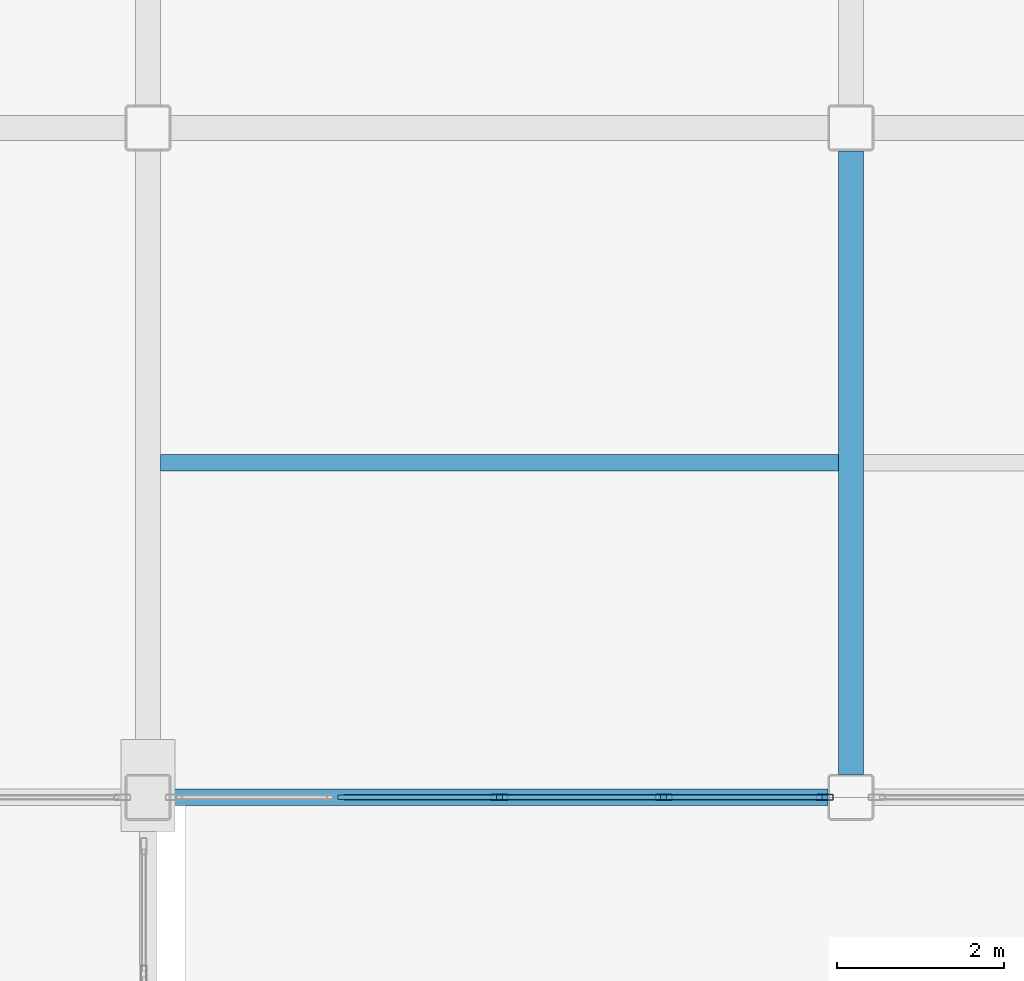
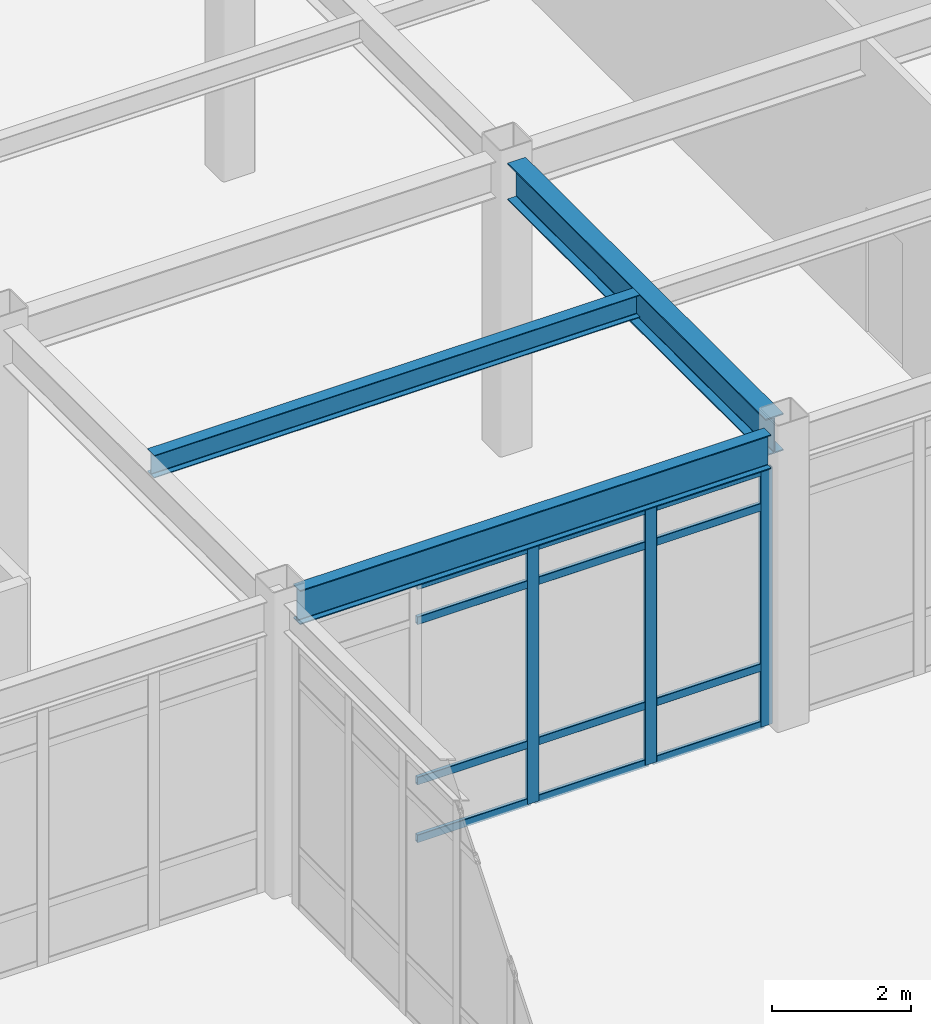
# One storey, part 72 of 165: 15 members, 3 beams, 1 element without a shape of its own.
"""IFC4 building model written with IfcOpenShell, lengths in metres."""

from ifc_helpers import new_model, si_unit, direction, frame, origin, origin_2d, place, context, subcontext, project, spatial, hollow_rectangle, i_section, extrude, material, layer, layer_set, material_profile, profile_set, type_object, element, aggregate, save


model = new_model("IFC4")

# Units and contexts
model_context = context("Model", 3, precision=1e-05, world=origin(), true_north=direction((0.0, 1.0)))
body_context = subcontext(model_context, "Body", "Model", "MODEL_VIEW")
ifc_project = project(units=[si_unit("LENGTHUNIT", "METRE"), si_unit("AREAUNIT", "SQUARE_METRE"), si_unit("VOLUMEUNIT", "CUBIC_METRE"), si_unit("PLANEANGLEUNIT", "RADIAN"), si_unit("MASSUNIT", "GRAM", prefix="KILO")], contexts=[model_context])

# Site, building, storey
site_placement = place(None, origin())
site = spatial("IfcSite", under=ifc_project, at=site_placement, CompositionType="ELEMENT")
building_placement = place(site_placement, origin())
building = spatial("IfcBuilding", under=site, at=building_placement, Name="Kazehara Bluff Congress Hotel", CompositionType="ELEMENT")
storey_placement = place(building_placement, origin())
storey = spatial("IfcBuildingStorey", under=building, at=storey_placement, Name="L00", CompositionType="ELEMENT", Elevation=0.0)

# Curtain wall, members
ifc_material_1 = material(Name="Anodised aluminium", Category="aluminium")
ifc_layer = layer(ifc_material_1, 0.159912109375)
ifc_layer_set = layer_set([ifc_layer], Name="Anodised aluminium")
curtain_wall_type = type_object("IfcCurtainWallType", Name="TP-CW-36", PredefinedType="NOTDEFINED", material=ifc_layer_set)
curtain_wall_placement = place(storey_placement, origin())
curtain_wall = element("IfcCurtainWall", 1, at=curtain_wall_placement, inside=storey, type_object=curtain_wall_type, Name="L00 curtain wall CW-36 CW-V3-L00-Y8090-6792", PredefinedType="NOTDEFINED")
ifc_material_2 = material(Name="Anodised aluminium", Category="aluminium")
ifc_material_profile_1 = material_profile(ifc_material_2, hollow_rectangle(XDim=0.070068359375, YDim=0.199951171875, WallThickness=0.0048828125, InnerFilletRadius=0.0048828125, OuterFilletRadius=0.010009765625, at=origin_2d()))
ifc_profile_set_1 = profile_set([ifc_material_profile_1], Name="Anodised aluminium")
member_type_1 = type_object("IfcMemberType", Name="TP-CWM-03", PredefinedType="MULLION", material=ifc_profile_set_1)
member_1_placement = place(storey_placement, frame((71.85009765625, 80.89990234375, 0.0), z_axis=(0.0, 0.0, 1.0), x_axis=(0.0, 1.0, 0.0)))
member_1 = element("IfcMember", 2, at=member_1_placement, type_object=member_type_1, Name="CW-36 mullion 3", PredefinedType="MULLION", context=body_context, shape_type="SweptSolid", body=[
    extrude(hollow_rectangle(XDim=0.070068359375, YDim=0.199951171875, WallThickness=0.0048828125, InnerFilletRadius=0.0048828125, OuterFilletRadius=0.010009765625, at=origin_2d()), origin(), (0.0, 0.0, 1.0), 4.52490234375),
])
member_2_placement = place(storey_placement, frame((73.8125, 80.89990234375, 0.0), z_axis=(0.0, 0.0, 1.0), x_axis=(0.0, 1.0, 0.0)))
member_2 = element("IfcMember", 3, at=member_2_placement, type_object=member_type_1, Name="CW-36 mullion 4", PredefinedType="MULLION", context=body_context, shape_type="SweptSolid", body=[
    extrude(hollow_rectangle(XDim=0.070068359375, YDim=0.199951171875, WallThickness=0.0048828125, InnerFilletRadius=0.0048828125, OuterFilletRadius=0.010009765625, at=origin_2d()), origin(), (0.0, 0.0, 1.0), 4.52490234375),
])
member_3_placement = place(storey_placement, frame((75.739990234375, 80.89990234375, 0.0), z_axis=(0.0, 0.0, 1.0), x_axis=(0.0, 1.0, 0.0)))
member_3 = element("IfcMember", 4, at=member_3_placement, type_object=member_type_1, Name="CW-36 mullion 5", PredefinedType="MULLION", context=body_context, shape_type="SweptSolid", body=[
    extrude(hollow_rectangle(XDim=0.070068359375, YDim=0.199951171875, WallThickness=0.0048828125, InnerFilletRadius=0.0048828125, OuterFilletRadius=0.010009765625, at=origin_2d()), origin(), (0.0, 0.0, 1.0), 4.52490234375),
])
ifc_material_3 = material(Name="Anodised aluminium", Category="aluminium")
ifc_material_profile_2 = material_profile(ifc_material_3, hollow_rectangle(XDim=0.06494140625, YDim=0.139892578125, WallThickness=0.00390625, InnerFilletRadius=0.00390625, OuterFilletRadius=0.008056640625, at=origin_2d()))
ifc_profile_set_2 = profile_set([ifc_material_profile_2], Name="Anodised aluminium")
member_type_2 = type_object("IfcMemberType", Name="TP-CWT-02", PredefinedType="USERDEFINED", material=ifc_profile_set_2)
member_4_placement = place(storey_placement, frame((69.922607421875, 80.89990234375, 0.032470703125), z_axis=(1.0, 0.0, 0.0), x_axis=(0.0, 1.0, 0.0)))
member_4 = element("IfcMember", 5, at=member_4_placement, type_object=member_type_2, Name="CW-36 transom 2.1", ObjectType="TRANSOM", PredefinedType="USERDEFINED", context=body_context, shape_type="SweptSolid", body=[
    extrude(hollow_rectangle(XDim=0.06494140625, YDim=0.139892578125, WallThickness=0.00390625, InnerFilletRadius=0.00390625, OuterFilletRadius=0.008056640625, at=origin_2d()), origin(), (0.0, 0.0, 1.0), 1.892333984375),
])
member_5_placement = place(storey_placement, frame((69.922607421875, 80.89990234375, 1.050048828125), z_axis=(1.0, 0.0, 0.0), x_axis=(0.0, 1.0, 0.0)))
member_5 = element("IfcMember", 6, at=member_5_placement, type_object=member_type_2, Name="CW-36 transom 2.2", ObjectType="TRANSOM", PredefinedType="USERDEFINED", context=body_context, shape_type="SweptSolid", body=[
    extrude(hollow_rectangle(XDim=0.06494140625, YDim=0.139892578125, WallThickness=0.00390625, InnerFilletRadius=0.00390625, OuterFilletRadius=0.008056640625, at=origin_2d()), origin(), (0.0, 0.0, 1.0), 1.892333984375),
])
member_6_placement = place(storey_placement, frame((69.922607421875, 80.89990234375, 3.875), z_axis=(1.0, 0.0, 0.0), x_axis=(0.0, 1.0, 0.0)))
member_6 = element("IfcMember", 7, at=member_6_placement, type_object=member_type_2, Name="CW-36 transom 2.3", ObjectType="TRANSOM", PredefinedType="USERDEFINED", context=body_context, shape_type="SweptSolid", body=[
    extrude(hollow_rectangle(XDim=0.06494140625, YDim=0.139892578125, WallThickness=0.00390625, InnerFilletRadius=0.00390625, OuterFilletRadius=0.008056640625, at=origin_2d()), origin(), (0.0, 0.0, 1.0), 1.892333984375),
])
member_7_placement = place(storey_placement, frame((69.922607421875, 80.89990234375, 4.492431640625), z_axis=(1.0, 0.0, 0.0), x_axis=(0.0, 1.0, 0.0)))
member_7 = element("IfcMember", 8, at=member_7_placement, type_object=member_type_2, Name="CW-36 transom 2.4", ObjectType="TRANSOM", PredefinedType="USERDEFINED", context=body_context, shape_type="SweptSolid", body=[
    extrude(hollow_rectangle(XDim=0.06494140625, YDim=0.139892578125, WallThickness=0.00390625, InnerFilletRadius=0.00390625, OuterFilletRadius=0.008056640625, at=origin_2d()), origin(), (0.0, 0.0, 1.0), 1.892333984375),
])
member_8_placement = place(storey_placement, frame((71.885009765625, 80.89990234375, 0.032470703125), z_axis=(1.0, 0.0, 0.0), x_axis=(0.0, 1.0, 0.0)))
member_8 = element("IfcMember", 9, at=member_8_placement, type_object=member_type_2, Name="CW-36 transom 3.1", ObjectType="TRANSOM", PredefinedType="USERDEFINED", context=body_context, shape_type="SweptSolid", body=[
    extrude(hollow_rectangle(XDim=0.06494140625, YDim=0.139892578125, WallThickness=0.00390625, InnerFilletRadius=0.00390625, OuterFilletRadius=0.008056640625, at=origin_2d()), origin(), (0.0, 0.0, 1.0), 1.892578125),
])
member_9_placement = place(storey_placement, frame((71.885009765625, 80.89990234375, 1.050048828125), z_axis=(1.0, 0.0, 0.0), x_axis=(0.0, 1.0, 0.0)))
member_9 = element("IfcMember", 10, at=member_9_placement, type_object=member_type_2, Name="CW-36 transom 3.2", ObjectType="TRANSOM", PredefinedType="USERDEFINED", context=body_context, shape_type="SweptSolid", body=[
    extrude(hollow_rectangle(XDim=0.06494140625, YDim=0.139892578125, WallThickness=0.00390625, InnerFilletRadius=0.00390625, OuterFilletRadius=0.008056640625, at=origin_2d()), origin(), (0.0, 0.0, 1.0), 1.892578125),
])
member_10_placement = place(storey_placement, frame((71.885009765625, 80.89990234375, 3.875), z_axis=(1.0, 0.0, 0.0), x_axis=(0.0, 1.0, 0.0)))
member_10 = element("IfcMember", 11, at=member_10_placement, type_object=member_type_2, Name="CW-36 transom 3.3", ObjectType="TRANSOM", PredefinedType="USERDEFINED", context=body_context, shape_type="SweptSolid", body=[
    extrude(hollow_rectangle(XDim=0.06494140625, YDim=0.139892578125, WallThickness=0.00390625, InnerFilletRadius=0.00390625, OuterFilletRadius=0.008056640625, at=origin_2d()), origin(), (0.0, 0.0, 1.0), 1.892578125),
])
member_11_placement = place(storey_placement, frame((71.885009765625, 80.89990234375, 4.492431640625), z_axis=(1.0, 0.0, 0.0), x_axis=(0.0, 1.0, 0.0)))
member_11 = element("IfcMember", 12, at=member_11_placement, type_object=member_type_2, Name="CW-36 transom 3.4", ObjectType="TRANSOM", PredefinedType="USERDEFINED", context=body_context, shape_type="SweptSolid", body=[
    extrude(hollow_rectangle(XDim=0.06494140625, YDim=0.139892578125, WallThickness=0.00390625, InnerFilletRadius=0.00390625, OuterFilletRadius=0.008056640625, at=origin_2d()), origin(), (0.0, 0.0, 1.0), 1.892578125),
])
member_12_placement = place(storey_placement, frame((73.847412109375, 80.89990234375, 0.032470703125), z_axis=(1.0, 0.0, 0.0), x_axis=(0.0, 1.0, 0.0)))
member_12 = element("IfcMember", 13, at=member_12_placement, type_object=member_type_2, Name="CW-36 transom 4.1", ObjectType="TRANSOM", PredefinedType="USERDEFINED", context=body_context, shape_type="SweptSolid", body=[
    extrude(hollow_rectangle(XDim=0.06494140625, YDim=0.139892578125, WallThickness=0.00390625, InnerFilletRadius=0.00390625, OuterFilletRadius=0.008056640625, at=origin_2d()), origin(), (0.0, 0.0, 1.0), 1.857666015625),
])
member_13_placement = place(storey_placement, frame((73.847412109375, 80.89990234375, 1.050048828125), z_axis=(1.0, 0.0, 0.0), x_axis=(0.0, 1.0, 0.0)))
member_13 = element("IfcMember", 14, at=member_13_placement, type_object=member_type_2, Name="CW-36 transom 4.2", ObjectType="TRANSOM", PredefinedType="USERDEFINED", context=body_context, shape_type="SweptSolid", body=[
    extrude(hollow_rectangle(XDim=0.06494140625, YDim=0.139892578125, WallThickness=0.00390625, InnerFilletRadius=0.00390625, OuterFilletRadius=0.008056640625, at=origin_2d()), origin(), (0.0, 0.0, 1.0), 1.857666015625),
])
member_14_placement = place(storey_placement, frame((73.847412109375, 80.89990234375, 3.875), z_axis=(1.0, 0.0, 0.0), x_axis=(0.0, 1.0, 0.0)))
member_14 = element("IfcMember", 15, at=member_14_placement, type_object=member_type_2, Name="CW-36 transom 4.3", ObjectType="TRANSOM", PredefinedType="USERDEFINED", context=body_context, shape_type="SweptSolid", body=[
    extrude(hollow_rectangle(XDim=0.06494140625, YDim=0.139892578125, WallThickness=0.00390625, InnerFilletRadius=0.00390625, OuterFilletRadius=0.008056640625, at=origin_2d()), origin(), (0.0, 0.0, 1.0), 1.857666015625),
])
member_15_placement = place(storey_placement, frame((73.847412109375, 80.89990234375, 4.492431640625), z_axis=(1.0, 0.0, 0.0), x_axis=(0.0, 1.0, 0.0)))
member_15 = element("IfcMember", 16, at=member_15_placement, type_object=member_type_2, Name="CW-36 transom 4.4", ObjectType="TRANSOM", PredefinedType="USERDEFINED", context=body_context, shape_type="SweptSolid", body=[
    extrude(hollow_rectangle(XDim=0.06494140625, YDim=0.139892578125, WallThickness=0.00390625, InnerFilletRadius=0.00390625, OuterFilletRadius=0.008056640625, at=origin_2d()), origin(), (0.0, 0.0, 1.0), 1.857666015625),
])
aggregate(curtain_wall, [member_1, member_2, member_3, member_4, member_5, member_6, member_7, member_8, member_9, member_10, member_11, member_12, member_13, member_14, member_15])

# Beams
ifc_material_4 = material(Name="Steel SN490B", Category="steel")
ifc_material_profile_3 = material_profile(ifc_material_4, i_section(OverallWidth=0.300048828125, OverallDepth=0.64990234375, WebThickness=0.011962890625, FlangeThickness=0.02001953125, FilletRadius=0.012939453125, at=origin_2d()))
ifc_profile_set_3 = profile_set([ifc_material_profile_3], Name="Steel SN490B")
beam_type_1 = type_object("IfcBeamType", Name="TP-G-03", PredefinedType="BEAM", material=ifc_profile_set_3)
beam_1_placement = place(storey_placement, frame((76.050048828125, 81.175048828125, 4.824951171875), z_axis=(0.0, 1.0, 0.0), x_axis=(-1.0, 0.0, 0.0)))
element("IfcBeam", 17, at=beam_1_placement, inside=storey, type_object=beam_type_1, Name="L00 girder G-03 107", PredefinedType="BEAM", context=body_context, shape_type="SweptSolid", body=[
    extrude(i_section(OverallWidth=0.300048828125, OverallDepth=0.64990234375, WebThickness=0.011962890625, FlangeThickness=0.02001953125, FilletRadius=0.012939453125, at=origin_2d()), origin(), (0.0, 0.0, 1.0), 7.449951171875),
])
ifc_material_5 = material(Name="Steel SN400B", Category="steel")
ifc_material_profile_4 = material_profile(ifc_material_5, i_section(OverallWidth=0.199951171875, OverallDepth=0.39990234375, WebThickness=0.008056640625, FlangeThickness=0.012939453125, FilletRadius=0.012939453125, at=origin_2d()))
ifc_profile_set_4 = profile_set([ifc_material_profile_4], Name="Steel SN400B")
beam_type_2 = type_object("IfcBeamType", Name="TP-J-03", PredefinedType="JOIST", material=ifc_profile_set_4)
beam_2_placement = place(storey_placement, frame((67.800048828125, 84.89990234375, 4.949951171875), z_axis=(1.0, 0.0, 0.0), x_axis=(0.0, 1.0, 0.0)))
element("IfcBeam", 18, at=beam_2_placement, inside=storey, type_object=beam_type_2, Name="L00 secondary joist J-03 15", PredefinedType="JOIST", context=body_context, shape_type="SweptSolid", body=[
    extrude(i_section(OverallWidth=0.199951171875, OverallDepth=0.39990234375, WebThickness=0.008056640625, FlangeThickness=0.012939453125, FilletRadius=0.012939453125, at=origin_2d()), origin(), (0.0, 0.0, 1.0), 8.099853515625),
])
ifc_material_6 = material(Name="Steel SN490B", Category="steel")
ifc_material_profile_5 = material_profile(ifc_material_6, i_section(OverallWidth=0.199951171875, OverallDepth=0.60009765625, WebThickness=0.010986328125, FlangeThickness=0.01708984375, FilletRadius=0.012939453125, at=origin_2d()))
ifc_profile_set_5 = profile_set([ifc_material_profile_5], Name="Steel SN490B")
beam_type_3 = type_object("IfcBeamType", Name="TP-SP-02", PredefinedType="SPANDREL", material=ifc_profile_set_5)
beam_3_placement = place(storey_placement, frame((67.925048828125, 80.89990234375, 4.85009765625), z_axis=(1.0, 0.0, 0.0), x_axis=(0.0, 1.0, 0.0)))
element("IfcBeam", 19, at=beam_3_placement, inside=storey, type_object=beam_type_3, Name="L00 girder SP-02 124", PredefinedType="SPANDREL", context=body_context, shape_type="SweptSolid", body=[
    extrude(i_section(OverallWidth=0.199951171875, OverallDepth=0.60009765625, WebThickness=0.010986328125, FlangeThickness=0.01708984375, FilletRadius=0.012939453125, at=origin_2d()), origin(), (0.0, 0.0, 1.0), 7.849853515625),
])

save(model, "model.ifc")
